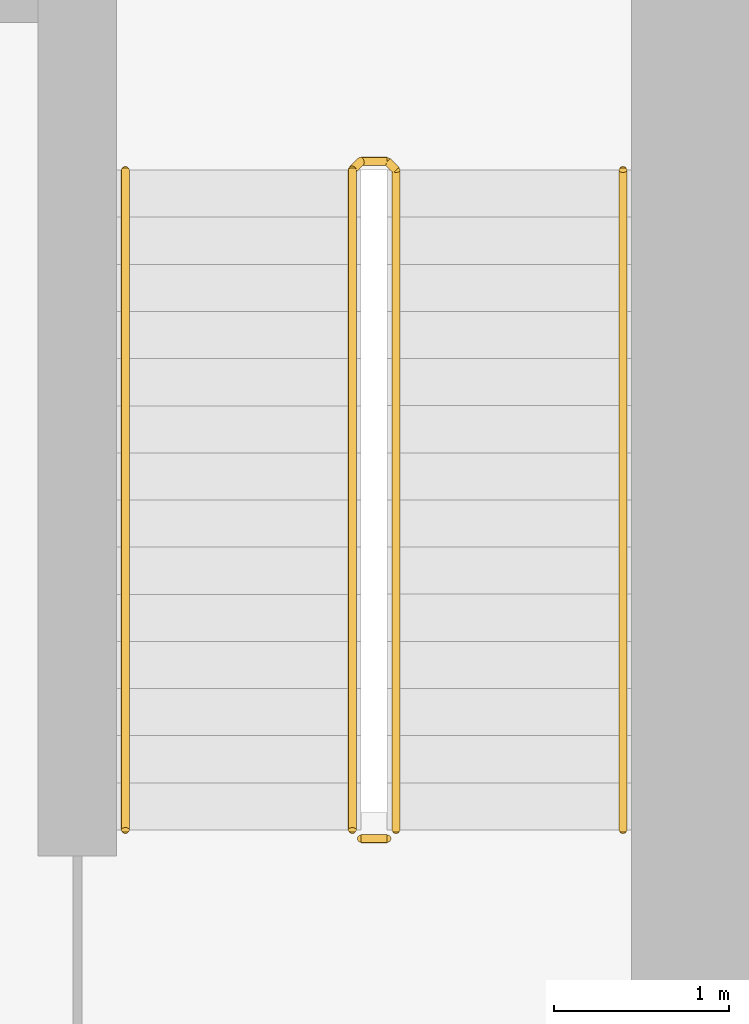
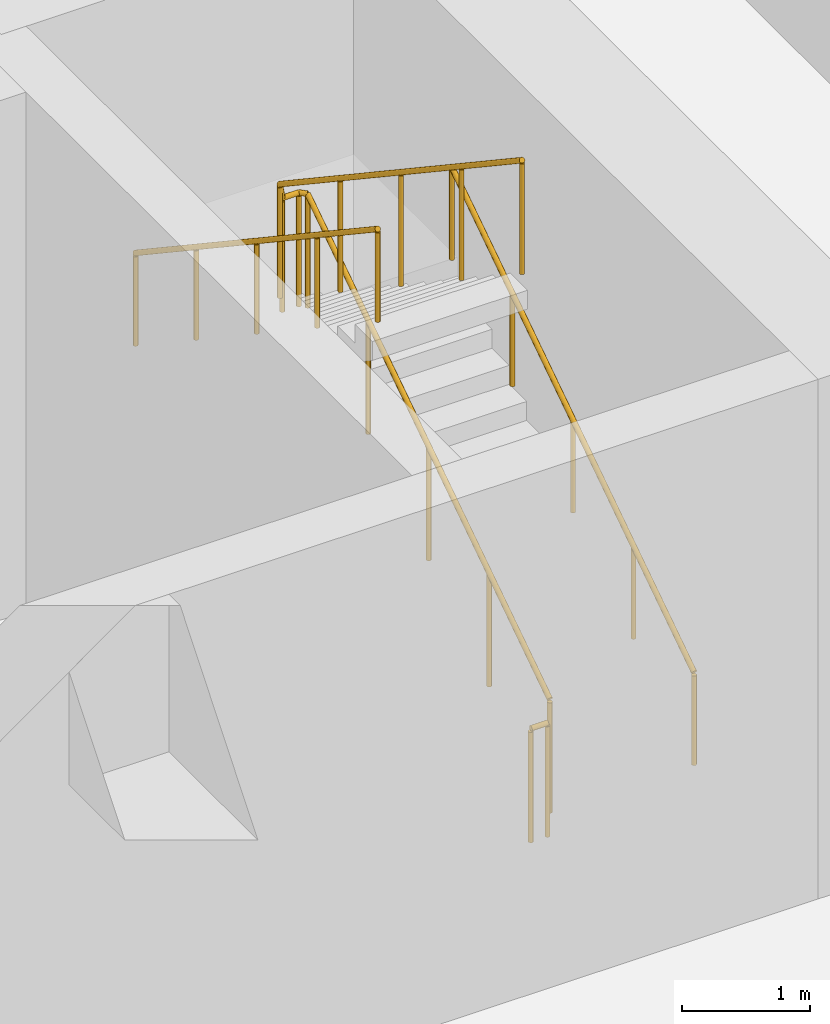
# One storey, part 19 of 24: 4 railings.
"""IFC4 building model written with IfcOpenShell, lengths in metres."""

from ifc_helpers import new_model, si_unit, direction, frame, origin, origin_2d, place, context, subcontext, project, spatial, circle, extrude, material, type_object, element, save


model = new_model("IFC4")

# Units and contexts
model_context = context("Model", 3, precision=1e-05, world=origin(), true_north=direction((0.0, 1.0)))
body_context = subcontext(model_context, "Body", "Model", "MODEL_VIEW")
ifc_project = project(units=[si_unit("LENGTHUNIT", "METRE"), si_unit("AREAUNIT", "SQUARE_METRE"), si_unit("VOLUMEUNIT", "CUBIC_METRE"), si_unit("PLANEANGLEUNIT", "RADIAN"), si_unit("MASSUNIT", "GRAM", prefix="KILO")], contexts=[model_context])

# Site, building, storey
site_placement = place(None, origin())
site = spatial("IfcSite", under=ifc_project, at=site_placement, CompositionType="ELEMENT")
building_placement = place(site_placement, origin())
building = spatial("IfcBuilding", under=site, at=building_placement, Name="Saffron Iwan Residences", CompositionType="ELEMENT")
storey_placement = place(building_placement, frame((0.0, 0.0, 21.60009765625)))
storey = spatial("IfcBuildingStorey", under=building, at=storey_placement, Name="L04", CompositionType="ELEMENT", Elevation=21.60009765625)

# Railings
ifc_material_1 = material(Name="Steel S355", Category="steel")
railing_type_1 = type_object("IfcRailingType", Name="Stair guard 1100", PredefinedType="GUARDRAIL", material=ifc_material_1)
railing_1_placement = place(storey_placement, frame((69.75, 67.85009765625, 0.179931640625)))
element("IfcRailing", 1, at=railing_1_placement, inside=storey, type_object=railing_type_1, Name="L04 ST-E stair guard 1", PredefinedType="GUARDRAIL", context=body_context, shape_type="SweptSolid", body=[
    extrude(circle(Radius=0.02392578125, at=origin_2d()), frame((0.0, 0.0, 1.076171875), z_axis=(0.0, 0.832033757966, 0.554724999982), x_axis=(-1.0, 0.0, 0.0)), (0.0, 0.0, 1.0), 4.542724609375),
    extrude(circle(Radius=0.02392578125, at=origin_2d()), frame((0.0, 3.77978515625, 3.59619140625), z_axis=(-0.707106781187, 0.707106781187, 0.0), x_axis=(-0.707106781187, -0.707106781187, 0.0)), (0.0, 0.0, 1.0), 0.07080078125),
    extrude(circle(Radius=0.02392578125, at=origin_2d()), frame((-0.050048828125, 3.829833984375, 3.59619140625), z_axis=(-1.0, 0.0, 0.0), x_axis=(0.0, -1.0, 0.0)), (0.0, 0.0, 1.0), 0.14990234375),
    extrude(circle(Radius=0.02392578125, at=origin_2d()), frame((-0.199951171875, 3.829833984375, 3.59619140625), z_axis=(-0.258847668887, -0.258847668887, 0.930588936439), x_axis=(0.707106781187, -0.707106781187, 0.0)), (0.0, 0.0, 1.0), 0.193359375),
    extrude(circle(Radius=0.02392578125, at=origin_2d()), frame((-0.25, 3.77978515625, 3.77587890625), z_axis=(0.0, -0.832033757966, 0.554724999982), x_axis=(1.0, 0.0, 0.0)), (0.0, 0.0, 1.0), 4.542724609375),
    extrude(circle(Radius=0.02099609375, at=origin_2d()), origin(), (0.0, 0.0, 1.0), 1.052001953125),
    extrude(circle(Radius=0.02099609375, at=origin_2d()), frame((0.0, 0.94482421875, 0.6298828125)), (0.0, 0.0, 1.0), 1.052001953125),
    extrude(circle(Radius=0.02099609375, at=origin_2d()), frame((0.0, 1.889892578125, 1.260009765625)), (0.0, 0.0, 1.0), 1.052001953125),
    extrude(circle(Radius=0.02099609375, at=origin_2d()), frame((0.0, 2.8349609375, 1.89013671875)), (0.0, 0.0, 1.0), 1.052001953125),
    extrude(circle(Radius=0.02099609375, at=origin_2d()), frame((0.0, 3.77978515625, 2.52001953125)), (0.0, 0.0, 1.0), 1.052001953125),
    extrude(circle(Radius=0.02099609375, at=origin_2d()), frame((-0.050048828125, 3.829833984375, 2.52001953125)), (0.0, 0.0, 1.0), 1.052001953125),
    extrude(circle(Radius=0.02099609375, at=origin_2d()), frame((-0.199951171875, 3.829833984375, 2.52001953125)), (0.0, 0.0, 1.0), 1.052001953125),
    extrude(circle(Radius=0.02099609375, at=origin_2d()), frame((-0.25, 3.77978515625, 2.699951171875)), (0.0, 0.0, 1.0), 1.052001953125),
    extrude(circle(Radius=0.02099609375, at=origin_2d()), frame((-0.25, 2.8349609375, 3.330078125)), (0.0, 0.0, 1.0), 1.052001953125),
    extrude(circle(Radius=0.02099609375, at=origin_2d()), frame((-0.25, 1.889892578125, 3.9599609375)), (0.0, 0.0, 1.0), 1.052001953125),
    extrude(circle(Radius=0.02099609375, at=origin_2d()), frame((-0.25, 0.94482421875, 4.58984375)), (0.0, 0.0, 1.0), 1.052001953125),
    extrude(circle(Radius=0.02099609375, at=origin_2d()), frame((-0.25, 0.0, 5.219970703125)), (0.0, 0.0, 1.0), 1.052001953125),
])
railing_2_placement = place(storey_placement, frame((69.699951171875, 67.800048828125, 0.0)))
element("IfcRailing", 2, at=railing_2_placement, inside=storey, type_object=railing_type_1, Name="L04 ST-E stair guard 2", PredefinedType="GUARDRAIL", context=body_context, shape_type="SweptSolid", body=[
    extrude(circle(Radius=0.02392578125, at=origin_2d()), frame((0.0, 0.0, 1.076171875), z_axis=(-1.0, 0.0, 0.0), x_axis=(0.0, -1.0, 0.0)), (0.0, 0.0, 1.0), 0.14990234375),
    extrude(circle(Radius=0.02099609375, at=origin_2d()), origin(), (0.0, 0.0, 1.0), 1.052001953125),
    extrude(circle(Radius=0.02099609375, at=origin_2d()), frame((-0.14990234375, 0.0, 0.0)), (0.0, 0.0, 1.0), 1.052001953125),
])
ifc_material_2 = material(Name="Stainless steel 316", Category="steel")
railing_type_2 = type_object("IfcRailingType", Name="Stair handrail 900", PredefinedType="HANDRAIL", material=ifc_material_2)
railing_3_placement = place(storey_placement, frame((71.050048828125, 67.85009765625, 0.179931640625)))
element("IfcRailing", 3, at=railing_3_placement, inside=storey, type_object=railing_type_2, Name="L04 ST-E stair handrail 1", PredefinedType="HANDRAIL", context=body_context, shape_type="SweptSolid", body=[
    extrude(circle(Radius=0.02392578125, at=origin_2d()), frame((0.0, 0.0, 0.8759765625), z_axis=(0.0, 0.832033757966, 0.554724999982), x_axis=(-1.0, 0.0, 0.0)), (0.0, 0.0, 1.0), 4.542724609375),
    extrude(circle(Radius=0.02099609375, at=origin_2d()), origin(), (0.0, 0.0, 1.0), 0.851806640625),
    extrude(circle(Radius=0.02099609375, at=origin_2d()), frame((0.0, 0.94482421875, 0.6298828125)), (0.0, 0.0, 1.0), 0.851806640625),
    extrude(circle(Radius=0.02099609375, at=origin_2d()), frame((0.0, 1.889892578125, 1.260009765625)), (0.0, 0.0, 1.0), 0.851806640625),
    extrude(circle(Radius=0.02099609375, at=origin_2d()), frame((0.0, 2.8349609375, 1.89013671875)), (0.0, 0.0, 1.0), 0.851806640625),
    extrude(circle(Radius=0.02099609375, at=origin_2d()), frame((0.0, 3.77978515625, 2.52001953125)), (0.0, 0.0, 1.0), 0.851806640625),
])
railing_4_placement = place(storey_placement, frame((68.199951171875, 71.6298828125, 2.8798828125)))
element("IfcRailing", 4, at=railing_4_placement, inside=storey, type_object=railing_type_2, Name="L04 ST-E stair handrail 2", PredefinedType="HANDRAIL", context=body_context, shape_type="SweptSolid", body=[
    extrude(circle(Radius=0.02392578125, at=origin_2d()), frame((0.0, 0.0, 0.8759765625), z_axis=(0.0, -0.832033757966, 0.554724999982), x_axis=(1.0, 0.0, 0.0)), (0.0, 0.0, 1.0), 4.542724609375),
    extrude(circle(Radius=0.02099609375, at=origin_2d()), origin(), (0.0, 0.0, 1.0), 0.851806640625),
    extrude(circle(Radius=0.02099609375, at=origin_2d()), frame((0.0, -0.94482421875, 0.6298828125)), (0.0, 0.0, 1.0), 0.851806640625),
    extrude(circle(Radius=0.02099609375, at=origin_2d()), frame((0.0, -1.889892578125, 1.260009765625)), (0.0, 0.0, 1.0), 0.851806640625),
    extrude(circle(Radius=0.02099609375, at=origin_2d()), frame((0.0, -2.8349609375, 1.89013671875)), (0.0, 0.0, 1.0), 0.851806640625),
    extrude(circle(Radius=0.02099609375, at=origin_2d()), frame((0.0, -3.77978515625, 2.52001953125)), (0.0, 0.0, 1.0), 0.851806640625),
])

save(model, "model.ifc")
